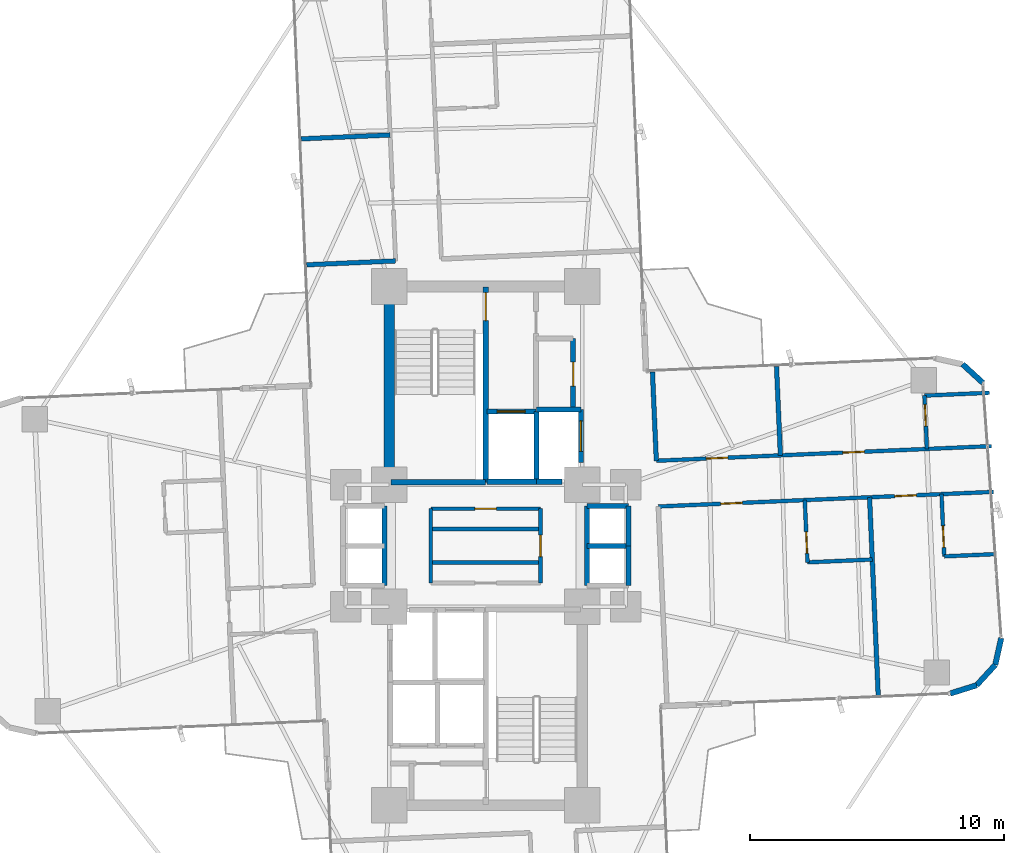
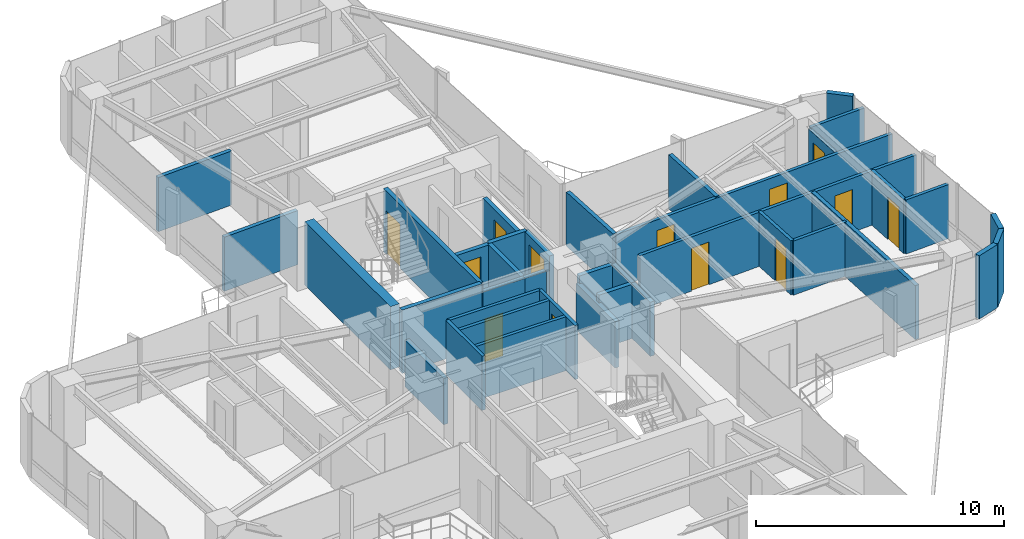
# One storey, part 24 of 26: 38 walls, 13 doors, 13 openings.
"""IFC4 building model written with IfcOpenShell, lengths in metres."""

from ifc_helpers import new_model, si_unit, direction, frame, frame_2d, origin, origin_2d, place, context, subcontext, project, spatial, rectangle, extrude, source, transform, mapped, material, layer, layer_set, type_object, element, fill, save


model = new_model("IFC4")

# Units and contexts
model_context = context("Model", 3, precision=1e-05, world=origin(), true_north=direction((0.0, 1.0)))
body_context = subcontext(model_context, "Body", "Model", "MODEL_VIEW")
ifc_project = project(units=[si_unit("LENGTHUNIT", "METRE"), si_unit("AREAUNIT", "SQUARE_METRE"), si_unit("VOLUMEUNIT", "CUBIC_METRE"), si_unit("PLANEANGLEUNIT", "RADIAN"), si_unit("MASSUNIT", "GRAM", prefix="KILO")], contexts=[model_context])

# Site, building, storey
site_placement = place(None, origin())
site = spatial("IfcSite", under=ifc_project, at=site_placement, CompositionType="ELEMENT")
building_placement = place(site_placement, origin())
building = spatial("IfcBuilding", under=site, at=building_placement, Name="Sahyath Konkavel Grand Hotel", CompositionType="ELEMENT")
storey_placement = place(building_placement, frame((0.0, 0.0, 128.199951171875)))
storey = spatial("IfcBuildingStorey", under=building, at=storey_placement, Name="L35", CompositionType="ELEMENT", Elevation=128.199951171875)

# Walls
ifc_material_1 = material(Name="Concrete C50/60", Category="concrete")
ifc_layer_1 = layer(ifc_material_1, 0.419921875)
ifc_layer_set_1 = layer_set([ifc_layer_1], Name="Concrete C50/60")
wall_type_1 = type_object("IfcWallType", Name="CWALL-420", PredefinedType="SHEAR", material=ifc_layer_set_1)
wall_1_placement = place(storey_placement, frame((-3.800048828125, 2.85009765625, 0.0), z_axis=(0.0, 0.0, 1.0), x_axis=(0.0, 1.0, 0.0)))
element("IfcWall", 1, at=wall_1_placement, inside=storey, type_object=wall_type_1, Name="L35 North Core Shear Wall W", PredefinedType="SHEAR", context=body_context, shape_type="SweptSolid", body=[
    extrude(rectangle(XDim=6.89990234375, YDim=0.419921875, at=frame_2d((3.449951171875, 0.0))), origin(), (0.0, 0.0, 1.0), 3.110107421875),
])
ifc_material_2 = material(Name="Warm Buff Sandstone Insulated Concrete C40/50", Category="masonry")
ifc_layer_2 = layer(ifc_material_2, 0.219970703125)
ifc_layer_set_2 = layer_set([ifc_layer_2], Name="Warm Buff Sandstone Insulated Concrete C40/50")
wall_type_2 = type_object("IfcWallType", Name="WLL-BALC-THRESH", PredefinedType="STANDARD", material=ifc_layer_set_2)
for number, where, z_axis, x_axis, name in (
    (2, (18.270751953125, -5.80859375, 0.0), (0.0, 0.0, 1.0), (0.953721713582, 0.30069069331, 0.0), "L35 Rounded Corner Sandstone Pier 1"),
    (3, (19.3076171875, -5.481689453125, 0.0), (0.0, 0.0, 1.0), (0.675551721847, 0.737312600672, 0.0), "L35 Rounded Corner Sandstone Pier 2"),
):
    element("IfcWall", number, at=place(storey_placement, frame(where, z_axis=z_axis, x_axis=x_axis)), inside=storey, type_object=wall_type_2, Name=name, PredefinedType="STANDARD", context=body_context, shape_type="SweptSolid", body=[
        extrude(rectangle(XDim=1.087158203125, YDim=0.219970703125, at=frame_2d((0.54345703125, 0.0))), origin(), (0.0, 0.0, 1.0), 3.110107421875),
    ])
for number, where, z_axis, x_axis, name in (
    (4, (20.0419921875, -4.68017578125, 0.0), (0.0, 0.0, 1.0), (0.216288323511, 0.976329535102, 0.0), "L35 Rounded Corner Sandstone Pier 3"),
    (5, (19.5576171875, 6.4091796875, 0.0), (0.0, 0.0, 1.0), (-0.737210081318, 0.675663596772, 0.0), "L35 Rounded Corner Sandstone Pier 5"),
):
    element("IfcWall", number, at=place(storey_placement, frame(where, z_axis=z_axis, x_axis=x_axis)), inside=storey, type_object=wall_type_2, Name=name, PredefinedType="STANDARD", context=body_context, shape_type="SweptSolid", body=[
        extrude(rectangle(XDim=1.0869140625, YDim=0.219970703125, at=frame_2d((0.54345703125, 0.0))), origin(), (0.0, 0.0, 1.0), 3.110107421875),
    ])

# Wall, opening, door
ifc_material_3 = material(Name="Concrete C40/50", Category="concrete")
ifc_layer_3 = layer(ifc_material_3, 0.199951171875)
ifc_layer_set_3 = layer_set([ifc_layer_3], Name="Concrete C40/50")
wall_type_3 = type_object("IfcWallType", Name="WLL-CORE-200", PredefinedType="SOLIDWALL", material=ifc_layer_set_3)
wall_2_placement = place(storey_placement, frame((0.0, 2.5, 0.0), z_axis=(0.0, 0.0, 1.0), x_axis=(0.0, 1.0, 0.0)))
wall_2 = element("IfcWall", 6, at=wall_2_placement, inside=storey, type_object=wall_type_3, Name="L35 Stair ST-1 Shaft Wall E", PredefinedType="SOLIDWALL", context=body_context, shape_type="SweptSolid", body=[
    extrude(rectangle(XDim=7.679931640625, YDim=0.199951171875, at=frame_2d((3.83984375, 0.0))), origin(), (0.0, 0.0, 1.0), 3.110107421875),
])
opening_1_placement = place(wall_2_placement, frame((6.360107421875, 0.0, 0.0)))
opening_1 = element("IfcOpeningElement", 7, at=opening_1_placement, cuts=wall_2, Name="Opening D-F12B", PredefinedType="OPENING", context=body_context, shape_type="SweptSolid", body=[
    extrude(rectangle(XDim=1.10009765625, YDim=2.14990234375, at=frame_2d((0.550048828125, 1.074951171875))), frame((0.0, 0.10986328125, 0.0), z_axis=(0.0, -1.0, 0.0), x_axis=(1.0, 0.0, 0.0)), (0.0, 0.0, 1.0), 0.219970703125),
])
ifc_material_4 = material(Name="Steel E350 Smokeproof Fire Door", Category="steel")
door_type_1 = type_object("IfcDoorType", Name="DR-FD120-1100", OperationType="NOTDEFINED", PredefinedType="DOOR", material=ifc_material_4)
shared_shape_1 = source(origin(), body_context, "Body", "SweptSolid", [
    extrude(rectangle(XDim=1.10009765625, YDim=0.050048828125, at=origin_2d()), origin(), (0.0, 0.0, 1.0), 2.14990234375),
])
door_1_placement = place(opening_1_placement, frame((0.550048828125, 0.0, 0.0)))
door_1 = element("IfcDoor", 8, at=door_1_placement, inside=storey, type_object=door_type_1, Name="L35 Stair ST-1 Fire Door", OperationType="SINGLE_SWING_LEFT", OverallHeight=2.14990234375, OverallWidth=1.10009765625, PredefinedType="DOOR", context=body_context, shape_type="MappedRepresentation", body=[
    mapped(shared_shape_1, transform((0.0, 0.0, 0.0), scale=1.0)),
])
fill(opening_1, door_1)

# Walls
wall_3_placement = place(storey_placement, frame((-3.719970703125, 2.5, 0.0), z_axis=(0.0, 0.0, 1.0), x_axis=(1.0, 0.0, 0.0)))
element("IfcWall", 9, at=wall_3_placement, inside=storey, type_object=wall_type_3, Name="L35 Stair ST-1 Shaft Wall S", PredefinedType="SOLIDWALL", context=body_context, shape_type="SweptSolid", body=[
    extrude(rectangle(XDim=3.719970703125, YDim=0.199951171875, at=frame_2d((1.85986328125, 0.0))), origin(), (0.0, 0.0, 1.0), 3.110107421875),
])
wall_4_placement = place(storey_placement, frame((2.0, 2.5, 0.0), z_axis=(0.0, 0.0, 1.0), x_axis=(0.0, 1.0, 0.0)))
element("IfcWall", 10, at=wall_4_placement, inside=storey, type_object=wall_type_3, Name="L35 Partition SH-FFL1-E", PredefinedType="SOLIDWALL", context=body_context, shape_type="SweptSolid", body=[
    extrude(rectangle(XDim=2.780029296875, YDim=0.199951171875, at=frame_2d((1.39013671875, 0.0))), origin(), (0.0, 0.0, 1.0), 2.66015625),
])
wall_5_placement = place(storey_placement, frame((0.050048828125, 2.52001953125, 0.0), z_axis=(0.0, 0.0, 1.0), x_axis=(1.0, 0.0, 0.0)))
element("IfcWall", 11, at=wall_5_placement, inside=storey, type_object=wall_type_3, Name="L35 Partition SH-FFL1-S", PredefinedType="SOLIDWALL", context=body_context, shape_type="SweptSolid", body=[
    extrude(rectangle(XDim=1.949951171875, YDim=0.199951171875, at=frame_2d((0.97509765625, 0.0))), origin(), (0.0, 0.0, 1.0), 2.66015625),
])

# Wall, opening, door
wall_6_placement = place(storey_placement, frame((0.050048828125, 5.280029296875, 0.0), z_axis=(0.0, 0.0, 1.0), x_axis=(1.0, 0.0, 0.0)))
wall_6 = element("IfcWall", 12, at=wall_6_placement, inside=storey, type_object=wall_type_3, Name="L35 Partition SH-FFL1-N", PredefinedType="SOLIDWALL", context=body_context, shape_type="SweptSolid", body=[
    extrude(rectangle(XDim=1.929931640625, YDim=0.199951171875, at=frame_2d((0.96484375, 0.0))), origin(), (0.0, 0.0, 1.0), 2.66015625),
])
opening_2_placement = place(wall_6_placement, frame((0.39990234375, 0.0, 0.0)))
opening_2 = element("IfcOpeningElement", 13, at=opening_2_placement, cuts=wall_6, Name="Opening LD-11", PredefinedType="OPENING", context=body_context, shape_type="SweptSolid", body=[
    extrude(rectangle(XDim=1.10009765625, YDim=2.199951171875, at=frame_2d((0.550048828125, 1.10009765625))), frame((0.0, 0.10986328125, 0.0), z_axis=(0.0, -1.0, 0.0), x_axis=(1.0, 0.0, 0.0)), (0.0, 0.0, 1.0), 0.219970703125),
])
ifc_material_5 = material(Name="Bronze Lift Landing Door 1100")
door_type_2 = type_object("IfcDoorType", Name="DR-LIFT-1100", OperationType="DOUBLE_DOOR_SLIDING", PredefinedType="DOOR", material=ifc_material_5)
shared_shape_2 = source(origin(), body_context, "Body", "SweptSolid", [
    extrude(rectangle(XDim=1.10009765625, YDim=0.050048828125, at=origin_2d()), origin(), (0.0, 0.0, 1.0), 2.199951171875),
])
door_2_placement = place(opening_2_placement, frame((0.550048828125, 0.0, 0.0)))
door_2 = element("IfcDoor", 14, at=door_2_placement, inside=storey, type_object=door_type_2, Name="L35 Lift FFL-1 Landing Door", OperationType="DOUBLE_DOOR_SLIDING", OverallHeight=2.199951171875, OverallWidth=1.10009765625, PredefinedType="DOOR", context=body_context, shape_type="MappedRepresentation", body=[
    mapped(shared_shape_2, transform((0.0, 0.0, 0.0), scale=1.0)),
])
fill(opening_2, door_2)

# Walls
wall_7_placement = place(storey_placement, frame((2.0, 2.52001953125, 0.0), z_axis=(0.0, 0.0, 1.0), x_axis=(1.0, 0.0, 0.0)))
element("IfcWall", 15, at=wall_7_placement, inside=storey, type_object=wall_type_3, Name="L35 Partition SH-SVL1-S", PredefinedType="SOLIDWALL", context=body_context, shape_type="SweptSolid", body=[
    extrude(rectangle(XDim=1.0, YDim=0.199951171875, at=frame_2d((0.5, 0.0))), origin(), (0.0, 0.0, 1.0), 2.66015625),
])
wall_8_placement = place(storey_placement, frame((2.0, 5.360107421875, 0.0), z_axis=(0.0, 0.0, 1.0), x_axis=(1.0, 0.0, 0.0)))
element("IfcWall", 16, at=wall_8_placement, inside=storey, type_object=wall_type_3, Name="L35 Partition SH-SVL1-N", PredefinedType="SOLIDWALL", context=body_context, shape_type="SweptSolid", body=[
    extrude(rectangle(XDim=1.739990234375, YDim=0.199951171875, at=frame_2d((0.8701171875, 0.0))), origin(), (0.0, 0.0, 1.0), 2.66015625),
])

# Wall, opening, door
wall_9_placement = place(storey_placement, frame((3.739990234375, 3.280029296875, 0.0), z_axis=(0.0, 0.0, 1.0), x_axis=(0.0, 1.0, 0.0)))
wall_9 = element("IfcWall", 17, at=wall_9_placement, inside=storey, type_object=wall_type_3, Name="L35 Partition SH-SVL1-E", PredefinedType="SOLIDWALL", context=body_context, shape_type="SweptSolid", body=[
    extrude(rectangle(XDim=2.080078125, YDim=0.199951171875, at=frame_2d((1.0400390625, 0.0))), origin(), (0.0, 0.0, 1.0), 2.66015625),
])
opening_3_placement = place(wall_9_placement, frame((0.43994140625, 0.0, 0.0)))
opening_3 = element("IfcOpeningElement", 18, at=opening_3_placement, cuts=wall_9, Name="Opening LD-12", PredefinedType="OPENING", context=body_context, shape_type="SweptSolid", body=[
    extrude(rectangle(XDim=1.199951171875, YDim=2.199951171875, at=frame_2d((0.60009765625, 1.10009765625))), frame((0.0, 0.10986328125, 0.0), z_axis=(0.0, -1.0, 0.0), x_axis=(1.0, 0.0, 0.0)), (0.0, 0.0, 1.0), 0.219970703125),
])
ifc_material_6 = material(Name="Stainless Steel Lift Landing Door 1200", Category="steel")
door_type_3 = type_object("IfcDoorType", Name="DR-LIFT-1200", OperationType="DOUBLE_DOOR_SLIDING", PredefinedType="DOOR", material=ifc_material_6)
shared_shape_3 = source(origin(), body_context, "Body", "SweptSolid", [
    extrude(rectangle(XDim=1.199951171875, YDim=0.050048828125, at=origin_2d()), origin(), (0.0, 0.0, 1.0), 2.199951171875),
])
door_3_placement = place(opening_3_placement, frame((0.60009765625, 0.0, 0.0)))
door_3 = element("IfcDoor", 19, at=door_3_placement, inside=storey, type_object=door_type_3, Name="L35 Service Lift SVL-1 Landing Door", OperationType="DOUBLE_DOOR_SLIDING", OverallHeight=2.199951171875, OverallWidth=1.199951171875, PredefinedType="DOOR", context=body_context, shape_type="MappedRepresentation", body=[
    mapped(shared_shape_3, transform((0.0, 0.0, 0.0), scale=1.0)),
])
fill(opening_3, door_3)

# Walls
wall_10_placement = place(storey_placement, frame((3.97998046875, -1.56005859375, 0.0), z_axis=(0.0, 0.0, 1.0), x_axis=(0.0, 1.0, 0.0)))
element("IfcWall", 20, at=wall_10_placement, inside=storey, type_object=wall_type_3, Name="L35 Partition SH-PL56-W", PredefinedType="SOLIDWALL", context=body_context, shape_type="SweptSolid", body=[
    extrude(rectangle(XDim=3.1201171875, YDim=0.199951171875, at=frame_2d((1.56005859375, 0.0))), origin(), (0.0, 0.0, 1.0), 2.280029296875),
])
for number, where, z_axis, x_axis, name in (
    (21, (3.97998046875, 1.56005859375, 0.0), (0.0, 0.0, 1.0), (1.0, 0.0, 0.0), "L35 Partition SH-PL56-N"),
    (22, (3.97998046875, 0.0, 0.0), (0.0, 0.0, 1.0), (1.0, 0.0, 0.0), "L35 Partition SH-PL56-M"),
):
    element("IfcWall", number, at=place(storey_placement, frame(where, z_axis=z_axis, x_axis=x_axis)), inside=storey, type_object=wall_type_3, Name=name, PredefinedType="SOLIDWALL", context=body_context, shape_type="SweptSolid", body=[
        extrude(rectangle(XDim=1.64013671875, YDim=0.199951171875, at=frame_2d((0.820068359375, 0.0))), origin(), (0.0, 0.0, 1.0), 2.66015625),
    ])
for number, where, z_axis, x_axis, name in (
    (23, (5.6201171875, 0.0, 0.0), (0.0, 0.0, 1.0), (0.0, 1.0, 0.0), "L35 Partition SH-PL5-E"),
    (24, (5.6201171875, -1.56005859375, 0.0), (0.0, 0.0, 1.0), (0.0, 1.0, 0.0), "L35 Partition SH-PL6-E"),
):
    element("IfcWall", number, at=place(storey_placement, frame(where, z_axis=z_axis, x_axis=x_axis)), inside=storey, type_object=wall_type_3, Name=name, PredefinedType="SOLIDWALL", context=body_context, shape_type="SweptSolid", body=[
        extrude(rectangle(XDim=1.56005859375, YDim=0.199951171875, at=frame_2d((0.780029296875, 0.0))), origin(), (0.0, 0.0, 1.0), 2.66015625),
    ])
wall_11_placement = place(storey_placement, frame((-3.97998046875, -1.56005859375, 0.0), z_axis=(0.0, 0.0, 1.0), x_axis=(0.0, 1.0, 0.0)))
element("IfcWall", 25, at=wall_11_placement, inside=storey, type_object=wall_type_3, Name="L35 Partition SH-SL12-E", PredefinedType="SOLIDWALL", context=body_context, shape_type="SweptSolid", body=[
    extrude(rectangle(XDim=3.1201171875, YDim=0.199951171875, at=frame_2d((1.56005859375, 0.0))), origin(), (0.0, 0.0, 1.0), 2.280029296875),
])

# Wall, opening, door
wall_12_placement = place(storey_placement, frame((3.43994140625, 5.3798828125, 0.0), z_axis=(0.0, 0.0, 1.0), x_axis=(0.0, 1.0, 0.0)))
wall_12 = element("IfcWall", 26, at=wall_12_placement, inside=storey, type_object=wall_type_3, Name="L35 Reclaimed North Core Wall E", PredefinedType="SOLIDWALL", context=body_context, shape_type="SweptSolid", body=[
    extrude(rectangle(XDim=2.77001953125, YDim=0.199951171875, at=frame_2d((1.385009765625, 0.0))), origin(), (0.0, 0.0, 1.0), 2.66015625),
])
opening_4_placement = place(wall_12_placement, frame((0.89990234375, 0.0, 0.0)))
opening_4 = element("IfcOpeningElement", 27, at=opening_4_placement, cuts=wall_12, Name="Opening D-F06B", PredefinedType="OPENING", context=body_context, shape_type="SweptSolid", body=[
    extrude(rectangle(XDim=0.949951171875, YDim=2.14990234375, at=frame_2d((0.47509765625, 1.074951171875))), frame((0.0, 0.10986328125, 0.0), z_axis=(0.0, -1.0, 0.0), x_axis=(1.0, 0.0, 0.0)), (0.0, 0.0, 1.0), 0.219970703125),
])
ifc_material_7 = material(Name="Teak Veneer Fire-Rated Guest Entrance Door")
door_type_4 = type_object("IfcDoorType", Name="DR-FD60-950", OperationType="NOTDEFINED", PredefinedType="DOOR", material=ifc_material_7)
shared_shape_4 = source(origin(), body_context, "Body", "SweptSolid", [
    extrude(rectangle(XDim=0.949951171875, YDim=0.050048828125, at=origin_2d()), origin(), (0.0, 0.0, 1.0), 2.14990234375),
])
door_4_placement = place(opening_4_placement, frame((0.47509765625, 0.0, 0.0)))
door_4 = element("IfcDoor", 28, at=door_4_placement, inside=storey, type_object=door_type_4, Name="L35 Door NC-REC1-D", OperationType="SINGLE_SWING_RIGHT", OverallHeight=2.14990234375, OverallWidth=0.949951171875, PredefinedType="DOOR", context=body_context, shape_type="MappedRepresentation", body=[
    mapped(shared_shape_4, transform((0.0, 0.0, 0.0), scale=1.0)),
])
fill(opening_4, door_4)

# Walls
ifc_material_8 = material(Name="Twin-Stud Acoustic Gypsum Plasterboard Partition")
ifc_layer_4 = layer(ifc_material_8, 0.179931640625)
ifc_layer_set_4 = layer_set([ifc_layer_4], Name="Twin-Stud Acoustic Gypsum Plasterboard Partition")
wall_type_4 = type_object("IfcWallType", Name="WLL-DEMISE-180", PredefinedType="PARTITIONING", material=ifc_layer_set_4)
wall_13_placement = place(storey_placement, frame((6.71044921875, 3.345947265625, 0.0), z_axis=(0.0, 0.0, 1.0), x_axis=(-0.043597663116, 0.999049169846, 0.0)))
element("IfcWall", 29, at=wall_13_placement, inside=storey, type_object=wall_type_4, Name="L35 Partition E-INL", PredefinedType="PARTITIONING", context=body_context, shape_type="SweptSolid", body=[
    extrude(rectangle(XDim=3.5, YDim=0.179931640625, at=frame_2d((1.75, 0.0))), origin(), (0.0, 0.0, 1.0), 2.66015625),
])
wall_14_placement = place(storey_placement, frame((11.58984375, 3.558837890625, 0.0), z_axis=(0.0, 0.0, 1.0), x_axis=(-0.04366424353, 0.99904626211, 0.0)))
element("IfcWall", 30, at=wall_14_placement, inside=storey, type_object=wall_type_4, Name="L35 Partition E-E1L-DEM", PredefinedType="PARTITIONING", context=body_context, shape_type="SweptSolid", body=[
    extrude(rectangle(XDim=3.500244140625, YDim=0.179931640625, at=frame_2d((1.75, 0.0))), origin(), (0.0, 0.0, 1.0), 2.66015625),
])
wall_15_placement = place(storey_placement, frame((15.096923828125, 1.910400390625, 0.0), z_axis=(0.0, 0.0, 1.0), x_axis=(0.043632821702, -0.999047634936, 0.0)))
element("IfcWall", 31, at=wall_15_placement, inside=storey, type_object=wall_type_4, Name="L35 Partition E-E1R-DEM", PredefinedType="PARTITIONING", context=body_context, shape_type="SweptSolid", body=[
    extrude(rectangle(XDim=7.7998046875, YDim=0.179931640625, at=frame_2d((3.89990234375, 0.0))), origin(), (0.0, 0.0, 1.0), 2.66015625),
])
wall_16_placement = place(storey_placement, frame((-3.542236328125, 11.206298828125, 0.0), z_axis=(0.0, 0.0, 1.0), x_axis=(-0.999046129111, -0.04366728647, 0.0)))
element("IfcWall", 32, at=wall_16_placement, inside=storey, type_object=wall_type_4, Name="L35 Partition N-INL", PredefinedType="PARTITIONING", context=body_context, shape_type="SweptSolid", body=[
    extrude(rectangle(XDim=3.5, YDim=0.179931640625, at=frame_2d((1.75, 0.0))), origin(), (0.0, 0.0, 1.0), 2.66015625),
])
wall_17_placement = place(storey_placement, frame((-3.75830078125, 16.159423828125, 0.0), z_axis=(0.0, 0.0, 1.0), x_axis=(-0.999049302422, -0.04359462501, 0.0)))
element("IfcWall", 33, at=wall_17_placement, inside=storey, type_object=wall_type_4, Name="L35 Partition N-N1L-DEM", PredefinedType="PARTITIONING", context=body_context, shape_type="SweptSolid", body=[
    extrude(rectangle(XDim=3.500244140625, YDim=0.179931640625, at=frame_2d((1.75, 0.0))), origin(), (0.0, 0.0, 1.0), 2.66015625),
])

# Wall, opening, door
ifc_material_9 = material(Name="Fire-Rated Gypsum Plasterboard Partition")
ifc_layer_5 = layer(ifc_material_9, 0.14990234375)
ifc_layer_set_5 = layer_set([ifc_layer_5], Name="Fire-Rated Gypsum Plasterboard Partition")
wall_type_5 = type_object("IfcWallType", Name="WLL-PART-150", PredefinedType="PARTITIONING", material=ifc_layer_set_5)
wall_18_placement = place(storey_placement, frame((2.159912109375, -1.4599609375, 0.0), z_axis=(0.0, 0.0, 1.0), x_axis=(0.0, 1.0, 0.0)))
wall_18 = element("IfcWall", 34, at=wall_18_placement, inside=storey, type_object=wall_type_5, Name="L35 Partition CC-2E", PredefinedType="PARTITIONING", context=body_context, shape_type="SweptSolid", body=[
    extrude(rectangle(XDim=2.919921875, YDim=0.14990234375, at=frame_2d((1.4599609375, 0.0))), origin(), (0.0, 0.0, 1.0), 2.66015625),
])
opening_5_placement = place(wall_18_placement, frame((1.034912109375, 0.0, 0.0)))
opening_5 = element("IfcOpeningElement", 35, at=opening_5_placement, cuts=wall_18, Name="Opening D-F06D", PredefinedType="OPENING", context=body_context, shape_type="SweptSolid", body=[
    extrude(rectangle(XDim=0.85009765625, YDim=2.10009765625, at=frame_2d((0.425048828125, 1.050048828125))), frame((0.0, 0.0849609375, 0.0), z_axis=(0.0, -1.0, 0.0), x_axis=(1.0, 0.0, 0.0)), (0.0, 0.0, 1.0), 0.169921875),
])
ifc_material_10 = material(Name="Fire-Rated Shaft Access Door")
door_type_5 = type_object("IfcDoorType", Name="DR-FD60-850", OperationType="NOTDEFINED", PredefinedType="DOOR", material=ifc_material_10)
shared_shape_5 = source(origin(), body_context, "Body", "SweptSolid", [
    extrude(rectangle(XDim=0.85009765625, YDim=0.050048828125, at=origin_2d()), origin(), (0.0, 0.0, 1.0), 2.10009765625),
])
door_5_placement = place(opening_5_placement, frame((0.425048828125, 0.0, 0.0)))
door_5 = element("IfcDoor", 36, at=door_5_placement, inside=storey, type_object=door_type_5, Name="L35 Door CC-D2B", OperationType="SINGLE_SWING_RIGHT", OverallHeight=2.10009765625, OverallWidth=0.85009765625, PredefinedType="DOOR", context=body_context, shape_type="MappedRepresentation", body=[
    mapped(shared_shape_5, transform((0.0, 0.0, 0.0), scale=1.0)),
])
fill(opening_5, door_5)

# Wall
wall_19_placement = place(storey_placement, frame((-2.159912109375, -1.4599609375, 0.0), z_axis=(0.0, 0.0, 1.0), x_axis=(0.0, 1.0, 0.0)))
element("IfcWall", 37, at=wall_19_placement, inside=storey, type_object=wall_type_5, Name="L35 Partition CC-2W", PredefinedType="PARTITIONING", context=body_context, shape_type="SweptSolid", body=[
    extrude(rectangle(XDim=2.919921875, YDim=0.14990234375, at=frame_2d((1.4599609375, 0.0))), origin(), (0.0, 0.0, 1.0), 2.66015625),
])

# Wall, opening, door
wall_20_placement = place(storey_placement, frame((-2.159912109375, 1.4599609375, 0.0), z_axis=(0.0, 0.0, 1.0), x_axis=(1.0, 0.0, 0.0)))
wall_20 = element("IfcWall", 38, at=wall_20_placement, inside=storey, type_object=wall_type_5, Name="L35 Partition CC-2N", PredefinedType="PARTITIONING", context=body_context, shape_type="SweptSolid", body=[
    extrude(rectangle(XDim=4.31982421875, YDim=0.14990234375, at=frame_2d((2.159912109375, 0.0))), origin(), (0.0, 0.0, 1.0), 2.66015625),
])
opening_6_placement = place(wall_20_placement, frame((1.72998046875, 0.0, 0.0)))
opening_6 = element("IfcOpeningElement", 39, at=opening_6_placement, cuts=wall_20, Name="Opening D-F06D", PredefinedType="OPENING", context=body_context, shape_type="SweptSolid", body=[
    extrude(rectangle(XDim=0.85009765625, YDim=2.10009765625, at=frame_2d((0.425048828125, 1.050048828125))), frame((0.0, 0.0849609375, 0.0), z_axis=(0.0, -1.0, 0.0), x_axis=(1.0, 0.0, 0.0)), (0.0, 0.0, 1.0), 0.169921875),
])
door_6_placement = place(opening_6_placement, frame((0.425048828125, 0.0, 0.0)))
door_6 = element("IfcDoor", 40, at=door_6_placement, inside=storey, type_object=door_type_5, Name="L35 Door CC-D2A", OperationType="SINGLE_SWING_LEFT", OverallHeight=2.10009765625, OverallWidth=0.85009765625, PredefinedType="DOOR", context=body_context, shape_type="MappedRepresentation", body=[
    mapped(shared_shape_5, transform((0.0, 0.0, 0.0), scale=1.0)),
])
fill(opening_6, door_6)

# Walls
for number, where, z_axis, x_axis, name in (
    (41, (-2.159912109375, 0.659912109375, 0.0), (0.0, 0.0, 1.0), (1.0, 0.0, 0.0), "L35 Partition CC-2M1"),
    (42, (-2.159912109375, -0.659912109375, 0.0), (0.0, 0.0, 1.0), (1.0, 0.0, 0.0), "L35 Partition CC-2M2"),
):
    element("IfcWall", number, at=place(storey_placement, frame(where, z_axis=z_axis, x_axis=x_axis)), inside=storey, type_object=wall_type_5, Name=name, PredefinedType="PARTITIONING", context=body_context, shape_type="SweptSolid", body=[
        extrude(rectangle(XDim=4.31982421875, YDim=0.14990234375, at=frame_2d((2.159912109375, 0.0))), origin(), (0.0, 0.0, 1.0), 2.66015625),
    ])

# Wall, openings, doors
wall_21_placement = place(storey_placement, frame((6.71044921875, 3.345947265625, 0.0), z_axis=(0.0, 0.0, 1.0), x_axis=(0.999048535483, 0.04361219725, 0.0)))
wall_21 = element("IfcWall", 43, at=wall_21_placement, inside=storey, type_object=wall_type_5, Name="L35 Partition E-CL", PredefinedType="PARTITIONING", context=body_context, shape_type="SweptSolid", body=[
    extrude(rectangle(XDim=13.199951171875, YDim=0.14990234375, at=frame_2d((6.60009765625, 0.0))), origin(), (0.0, 0.0, 1.0), 2.630126953125),
])
opening_7_placement = place(wall_21_placement, frame((1.967041015625, 0.0, 0.0)))
opening_7 = element("IfcOpeningElement", 44, at=opening_7_placement, cuts=wall_21, Name="Opening D-F06D", PredefinedType="OPENING", context=body_context, shape_type="SweptSolid", body=[
    extrude(rectangle(XDim=0.85009765625, YDim=2.10009765625, at=frame_2d((0.425048828125, 1.050048828125))), frame((0.0, 0.0849609375, 0.0), z_axis=(0.0, -1.0, 0.0), x_axis=(1.0, 0.0, 0.0)), (0.0, 0.0, 1.0), 0.169921875),
])
opening_8_placement = place(wall_21_placement, frame((7.342041015625, 0.0, 0.0)))
opening_8 = element("IfcOpeningElement", 45, at=opening_8_placement, cuts=wall_21, Name="Opening D-F06D", PredefinedType="OPENING", context=body_context, shape_type="SweptSolid", body=[
    extrude(rectangle(XDim=0.85009765625, YDim=2.10009765625, at=frame_2d((0.425048828125, 1.050048828125))), frame((0.0, 0.0849609375, 0.0), z_axis=(0.0, -1.0, 0.0), x_axis=(1.0, 0.0, 0.0)), (0.0, 0.0, 1.0), 0.169921875),
])
door_7_placement = place(opening_7_placement, frame((0.425048828125, 0.0, 0.0)))
door_7 = element("IfcDoor", 46, at=door_7_placement, inside=storey, type_object=door_type_5, Name="L35 Door E-E1L-D", OperationType="SINGLE_SWING_RIGHT", OverallHeight=2.10009765625, OverallWidth=0.85009765625, PredefinedType="DOOR", context=body_context, shape_type="MappedRepresentation", body=[
    mapped(shared_shape_5, transform((0.0, 0.0, 0.0), scale=1.0)),
])
fill(opening_7, door_7)
door_8_placement = place(opening_8_placement, frame((0.425048828125, 0.0, 0.0)))
door_8 = element("IfcDoor", 47, at=door_8_placement, inside=storey, type_object=door_type_5, Name="L35 Door E-E2L-ED", OperationType="SINGLE_SWING_RIGHT", OverallHeight=2.10009765625, OverallWidth=0.85009765625, PredefinedType="DOOR", context=body_context, shape_type="MappedRepresentation", body=[
    mapped(shared_shape_5, transform((0.0, 0.0, 0.0), scale=1.0)),
])
fill(opening_8, door_8)

wall_22_placement = place(storey_placement, frame((6.7890625, 1.547607421875, 0.0), z_axis=(0.0, 0.0, 1.0), x_axis=(0.999048500303, 0.043613003123, 0.0)))
wall_22 = element("IfcWall", 48, at=wall_22_placement, inside=storey, type_object=wall_type_5, Name="L35 Partition E-CR", PredefinedType="PARTITIONING", context=body_context, shape_type="SweptSolid", body=[
    extrude(rectangle(XDim=13.19970703125, YDim=0.14990234375, at=frame_2d((6.599853515625, 0.0))), origin(), (0.0, 0.0, 1.0), 2.66015625),
])
opening_9_placement = place(wall_22_placement, frame((2.4580078125, 0.0, 0.0)))
opening_9 = element("IfcOpeningElement", 49, at=opening_9_placement, cuts=wall_22, Name="Opening D-F06D", PredefinedType="OPENING", context=body_context, shape_type="SweptSolid", body=[
    extrude(rectangle(XDim=0.85009765625, YDim=2.10009765625, at=frame_2d((0.425048828125, 1.050048828125))), frame((0.0, 0.0849609375, 0.0), z_axis=(0.0, -1.0, 0.0), x_axis=(1.0, 0.0, 0.0)), (0.0, 0.0, 1.0), 0.169921875),
])
opening_10_placement = place(wall_22_placement, frame((9.30810546875, 0.0, 0.0)))
opening_10 = element("IfcOpeningElement", 50, at=opening_10_placement, cuts=wall_22, Name="Opening D-F06D", PredefinedType="OPENING", context=body_context, shape_type="SweptSolid", body=[
    extrude(rectangle(XDim=0.85009765625, YDim=2.10009765625, at=frame_2d((0.425048828125, 1.050048828125))), frame((0.0, 0.0849609375, 0.0), z_axis=(0.0, -1.0, 0.0), x_axis=(1.0, 0.0, 0.0)), (0.0, 0.0, 1.0), 0.169921875),
])
door_9_placement = place(opening_9_placement, frame((0.425048828125, 0.0, 0.0)))
door_9 = element("IfcDoor", 51, at=door_9_placement, inside=storey, type_object=door_type_5, Name="L35 Door E-E1R-ED", OperationType="SINGLE_SWING_RIGHT", OverallHeight=2.10009765625, OverallWidth=0.85009765625, PredefinedType="DOOR", context=body_context, shape_type="MappedRepresentation", body=[
    mapped(shared_shape_5, transform((0.0, 0.0, 0.0), scale=1.0)),
])
fill(opening_9, door_9)
door_10_placement = place(opening_10_placement, frame((0.425048828125, 0.0, 0.0)))
door_10 = element("IfcDoor", 52, at=door_10_placement, inside=storey, type_object=door_type_5, Name="L35 Door E-E2R-ED", OperationType="SINGLE_SWING_RIGHT", OverallHeight=2.10009765625, OverallWidth=0.85009765625, PredefinedType="DOOR", context=body_context, shape_type="MappedRepresentation", body=[
    mapped(shared_shape_5, transform((0.0, 0.0, 0.0), scale=1.0)),
])
fill(opening_10, door_10)

# Wall, opening, door
wall_23_placement = place(storey_placement, frame((17.350341796875, 3.810302734375, 0.0), z_axis=(0.0, 0.0, 1.0), x_axis=(-0.043593612401, 0.999049346608, 0.0)))
wall_23 = element("IfcWall", 53, at=wall_23_placement, inside=storey, type_object=wall_type_5, Name="L35 Partition E-E2L-BS", PredefinedType="PARTITIONING", context=body_context, shape_type="SweptSolid", body=[
    extrude(rectangle(XDim=2.10009765625, YDim=0.14990234375, at=frame_2d((1.050048828125, 0.0))), origin(), (0.0, 0.0, 1.0), 2.580078125),
])
opening_11_placement = place(wall_23_placement, frame((0.89990234375, 0.0, 0.0)))
opening_11 = element("IfcOpeningElement", 54, at=opening_11_placement, cuts=wall_23, Name="Opening D-BT85", PredefinedType="OPENING", context=body_context, shape_type="SweptSolid", body=[
    extrude(rectangle(XDim=0.85009765625, YDim=2.10009765625, at=frame_2d((0.425048828125, 1.050048828125))), frame((0.0, 0.0849609375, 0.0), z_axis=(0.0, -1.0, 0.0), x_axis=(1.0, 0.0, 0.0)), (0.0, 0.0, 1.0), 0.169921875),
])
ifc_material_11 = material(Name="Moisture-Resistant Teak Bathroom Door")
door_type_6 = type_object("IfcDoorType", Name="DR-BATH-850", OperationType="NOTDEFINED", PredefinedType="DOOR", material=ifc_material_11)
door_11_placement = place(opening_11_placement, frame((0.425048828125, 0.0, 0.0)))
door_11 = element("IfcDoor", 55, at=door_11_placement, inside=storey, type_object=door_type_6, Name="L35 Door E-E2L-BD", OperationType="SINGLE_SWING_LEFT", OverallHeight=2.10009765625, OverallWidth=0.85009765625, PredefinedType="DOOR", context=body_context, shape_type="MappedRepresentation", body=[
    mapped(shared_shape_5, transform((0.0, 0.0, 0.0), scale=1.0)),
])
fill(opening_11, door_11)

# Wall
wall_24_placement = place(storey_placement, frame((17.2587890625, 5.908447265625, 0.0), z_axis=(0.0, 0.0, 1.0), x_axis=(0.999046560091, 0.043657425146, 0.0)))
element("IfcWall", 56, at=wall_24_placement, inside=storey, type_object=wall_type_5, Name="L35 Partition E-E2L-BF", PredefinedType="PARTITIONING", context=body_context, shape_type="SweptSolid", body=[
    extrude(rectangle(XDim=2.550048828125, YDim=0.14990234375, at=frame_2d((1.27490234375, 0.0))), origin(), (0.0, 0.0, 1.0), 2.66015625),
])

# Wall, opening, door
wall_25_placement = place(storey_placement, frame((12.549560546875, 1.799072265625, 0.0), z_axis=(0.0, 0.0, 1.0), x_axis=(0.043545330602, -0.99905145222, 0.0)))
wall_25 = element("IfcWall", 57, at=wall_25_placement, inside=storey, type_object=wall_type_5, Name="L35 Partition E-E1R-BS", PredefinedType="PARTITIONING", context=body_context, shape_type="SweptSolid", body=[
    extrude(rectangle(XDim=2.4501953125, YDim=0.14990234375, at=frame_2d((1.22509765625, 0.0))), origin(), (0.0, 0.0, 1.0), 2.66015625),
])
opening_12_placement = place(wall_25_placement, frame((1.25, 0.0, 0.0)))
opening_12 = element("IfcOpeningElement", 58, at=opening_12_placement, cuts=wall_25, Name="Opening D-BT85", PredefinedType="OPENING", context=body_context, shape_type="SweptSolid", body=[
    extrude(rectangle(XDim=0.85009765625, YDim=2.10009765625, at=frame_2d((0.425048828125, 1.050048828125))), frame((0.0, 0.0849609375, 0.0), z_axis=(0.0, -1.0, 0.0), x_axis=(1.0, 0.0, 0.0)), (0.0, 0.0, 1.0), 0.169921875),
])
door_12_placement = place(opening_12_placement, frame((0.425048828125, 0.0, 0.0)))
door_12 = element("IfcDoor", 59, at=door_12_placement, inside=storey, type_object=door_type_6, Name="L35 Door E-E1R-BD", OperationType="SINGLE_SWING_LEFT", OverallHeight=2.10009765625, OverallWidth=0.85009765625, PredefinedType="DOOR", context=body_context, shape_type="MappedRepresentation", body=[
    mapped(shared_shape_5, transform((0.0, 0.0, 0.0), scale=1.0)),
])
fill(opening_12, door_12)

# Wall
wall_26_placement = place(storey_placement, frame((12.65625, -0.648681640625, 0.0), z_axis=(0.0, 0.0, 1.0), x_axis=(0.999046560091, 0.043657425146, 0.0)))
element("IfcWall", 60, at=wall_26_placement, inside=storey, type_object=wall_type_5, Name="L35 Partition E-E1R-BF", PredefinedType="PARTITIONING", context=body_context, shape_type="SweptSolid", body=[
    extrude(rectangle(XDim=2.550048828125, YDim=0.14990234375, at=frame_2d((1.27490234375, 0.0))), origin(), (0.0, 0.0, 1.0), 2.66015625),
])

# Wall, opening, door
wall_27_placement = place(storey_placement, frame((17.92822265625, 2.033935546875, 0.0), z_axis=(0.0, 0.0, 1.0), x_axis=(0.043644787072, -0.999047112283, 0.0)))
wall_27 = element("IfcWall", 61, at=wall_27_placement, inside=storey, type_object=wall_type_5, Name="L35 Partition E-E2R-BS", PredefinedType="PARTITIONING", context=body_context, shape_type="SweptSolid", body=[
    extrude(rectangle(XDim=2.4501953125, YDim=0.14990234375, at=frame_2d((1.22509765625, 0.0))), origin(), (0.0, 0.0, 1.0), 2.66015625),
])
opening_13_placement = place(wall_27_placement, frame((1.25, 0.0, 0.0)))
opening_13 = element("IfcOpeningElement", 62, at=opening_13_placement, cuts=wall_27, Name="Opening D-BT85", PredefinedType="OPENING", context=body_context, shape_type="SweptSolid", body=[
    extrude(rectangle(XDim=0.85009765625, YDim=2.10009765625, at=frame_2d((0.425048828125, 1.050048828125))), frame((0.0, 0.0849609375, 0.0), z_axis=(0.0, -1.0, 0.0), x_axis=(1.0, 0.0, 0.0)), (0.0, 0.0, 1.0), 0.169921875),
])
door_13_placement = place(opening_13_placement, frame((0.425048828125, 0.0, 0.0)))
door_13 = element("IfcDoor", 63, at=door_13_placement, inside=storey, type_object=door_type_6, Name="L35 Door E-E2R-BD", OperationType="SINGLE_SWING_LEFT", OverallHeight=2.10009765625, OverallWidth=0.85009765625, PredefinedType="DOOR", context=body_context, shape_type="MappedRepresentation", body=[
    mapped(shared_shape_5, transform((0.0, 0.0, 0.0), scale=1.0)),
])
fill(opening_13, door_13)

# Wall
wall_28_placement = place(storey_placement, frame((18.03515625, -0.413818359375, 0.0), z_axis=(0.0, 0.0, 1.0), x_axis=(0.999044437927, 0.043705961225, 0.0)))
element("IfcWall", 64, at=wall_28_placement, inside=storey, type_object=wall_type_5, Name="L35 Partition E-E2R-BF", PredefinedType="PARTITIONING", context=body_context, shape_type="SweptSolid", body=[
    extrude(rectangle(XDim=2.050048828125, YDim=0.14990234375, at=frame_2d((1.02490234375, 0.0))), origin(), (0.0, 0.0, 1.0), 2.66015625),
])

save(model, "model.ifc")
